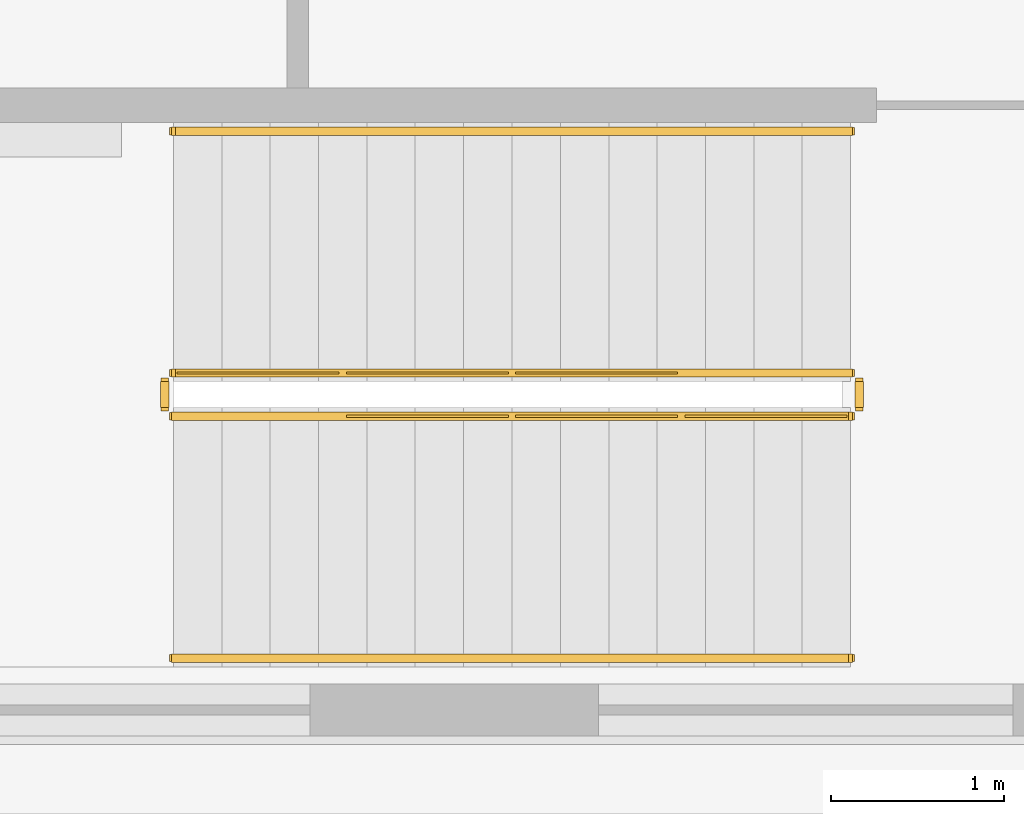
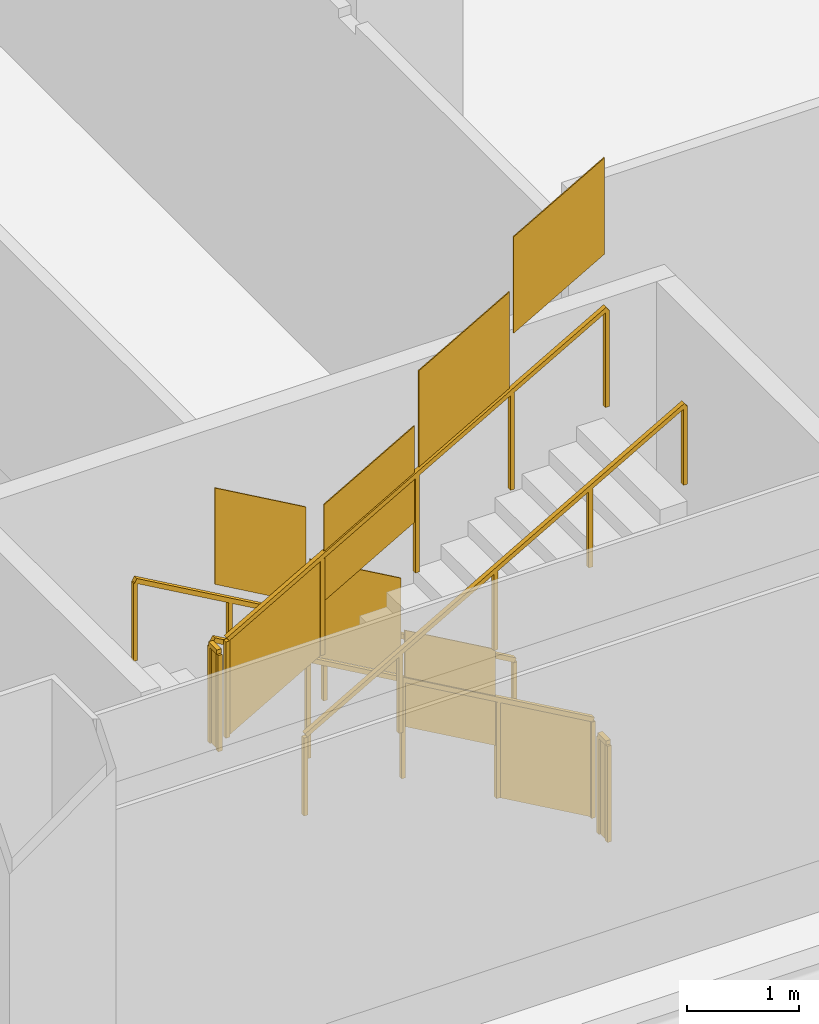
# One storey, part 21 of 26: 6 railings.
"""IFC4 building model written with IfcOpenShell, lengths in metres."""

import ifcopenshell
import ifcopenshell.guid

model = None  # the IFC model being written
_history = None  # IfcOwnerHistory: only IFC2X3 demands one
_inside = {}  # id of a spatial element -> (the spatial element, [elements in it])
_under = {}  # id of a project, library or spatial element -> (it, [spatial elements below it])
_declared = {}  # id of a project -> (the project, [libraries it declares])
_typed = {}  # id of a type object -> (the type object, [elements of that type])
_made_of = {}  # id of a material, layer set ... -> (it, [elements and type objects made of it])


def new_model(schema):
    """Start an empty IFC model of exactly this schema.

    Asked for "IFC4X3", IfcOpenShell would pick the latest addendum, in which some entities
    have other attributes; the version numbers below select the first issue.
    IFC2X3 requires an IfcOwnerHistory on every rooted entity: one is made here for all.
    """
    global model, _history
    if schema == "IFC4X3":
        model = ifcopenshell.file(schema_version=(4, 3, 0, 0))
    else:
        model = ifcopenshell.file(schema=schema)
    _inside.clear()
    _under.clear()
    _declared.clear()
    _typed.clear()
    _made_of.clear()
    _history = None
    if model.schema == "IFC2X3":
        org = make("IfcOrganization", Name="unknown")
        user = make(
            "IfcPersonAndOrganization",
            ThePerson=make("IfcPerson", FamilyName="unknown"),
            TheOrganization=org,
        )
        app = make(
            "IfcApplication",
            ApplicationDeveloper=org,
            Version="unknown",
            ApplicationFullName="unknown",
            ApplicationIdentifier="unknown",
        )
        _history = make(
            "IfcOwnerHistory",
            OwningUser=user,
            OwningApplication=app,
            ChangeAction="ADDED",
            CreationDate=0,
        )
    return model


def make(cls, **values):
    """One entity of the class cls with the attributes given. An attribute that is None is left unset."""
    return model.create_entity(
        cls, **{name: value for name, value in values.items() if value is not None}
    )


def rooted(cls, **values):
    """An entity with a GlobalId (a new one), such as an element, a storey or a relation."""
    return make(cls, GlobalId=ifcopenshell.guid.new(), OwnerHistory=_history, **values)


def si_unit(unit_type, name, prefix=None):
    """IfcSIUnit, for example si_unit("LENGTHUNIT", "METRE", prefix="MILLI")."""
    return make("IfcSIUnit", UnitType=unit_type, Prefix=prefix, Name=name)


def assignment(units):
    """IfcUnitAssignment: the units of a project."""
    return None if units is None else make("IfcUnitAssignment", Units=units)


def point(xyz):
    """IfcCartesianPoint."""
    return None if xyz is None else make("IfcCartesianPoint", Coordinates=xyz)


def direction(xyz):
    """IfcDirection."""
    return None if xyz is None else make("IfcDirection", DirectionRatios=xyz)


def frame(location, z_axis=None, x_axis=None):
    """IfcAxis2Placement3D, a coordinate frame: its origin and axes. An axis left out is left unset."""
    return make(
        "IfcAxis2Placement3D",
        Location=point(location),
        Axis=direction(z_axis),
        RefDirection=direction(x_axis),
    )


def frame_2d(location, x_axis=None):
    """IfcAxis2Placement2D, a coordinate frame in the plane: its origin and x axis."""
    return make(
        "IfcAxis2Placement2D", Location=point(location), RefDirection=direction(x_axis)
    )


def origin():
    """The frame at (0, 0, 0) with its axes left unset."""
    return frame((0.0, 0.0, 0.0))


def origin_2d():
    """The frame at (0, 0) in the plane with its x axis left unset."""
    return frame_2d((0.0, 0.0))


def place(relative_to, where):
    """IfcLocalPlacement: puts the frame where relative to a parent placement (None: the world)."""
    return make(
        "IfcLocalPlacement", PlacementRelTo=relative_to, RelativePlacement=where
    )


def context(
    kind, dimensions, precision=None, world=None, true_north=None, identifier=None
):
    """IfcGeometricRepresentationContext, for example the 3D "Model" context."""
    return make(
        "IfcGeometricRepresentationContext",
        ContextIdentifier=identifier,
        ContextType=kind,
        CoordinateSpaceDimension=dimensions,
        Precision=precision,
        WorldCoordinateSystem=world,
        TrueNorth=true_north,
    )


def subcontext(parent, identifier, kind, view, scale=None):
    """IfcGeometricRepresentationSubContext, for example "Body" below "Model"."""
    return make(
        "IfcGeometricRepresentationSubContext",
        ContextIdentifier=identifier,
        ContextType=kind,
        ParentContext=parent,
        TargetScale=scale,
        TargetView=view,
    )


def project(units=None, contexts=None):
    """IfcProject with its units and contexts."""
    return rooted(
        "IfcProject",
        Name="project",
        RepresentationContexts=contexts,
        UnitsInContext=assignment(units),
    )


def spatial(cls, under=None, at=None, **own):
    """A site, building, storey or space (cls), placed at a placement, below another one or the project."""
    s = rooted(cls, ObjectPlacement=at, **own)
    if under is not None:
        _under.setdefault(under.id(), (under, []))[1].append(s)
    return s


def polyline(points):
    """IfcPolyline through the points."""
    return make("IfcPolyline", Points=[point(p) for p in points])


def profile(cls, at=None, kind="AREA", **sizes):
    """A parametric profile (cls). Its sizes go by their IFC names, for example OverallWidth=200.0."""
    return make(cls, ProfileType=kind, Position=at, **sizes)


def rectangle(**sizes):
    """IfcRectangleProfileDef."""
    return profile("IfcRectangleProfileDef", **sizes)


def outline(outer, holes=None, kind="AREA"):
    """IfcArbitraryClosedProfileDef: a profile drawn as a closed curve; with holes, ...WithVoids."""
    if holes is None:
        return make("IfcArbitraryClosedProfileDef", ProfileType=kind, OuterCurve=outer)
    return make(
        "IfcArbitraryProfileDefWithVoids",
        ProfileType=kind,
        OuterCurve=outer,
        InnerCurves=holes,
    )


def extrude(swept, where, along, depth):
    """IfcExtrudedAreaSolid: the profile swept, set in the frame where, extruded along a direction by depth."""
    return make(
        "IfcExtrudedAreaSolid",
        SweptArea=swept,
        Position=where,
        ExtrudedDirection=direction(along),
        Depth=depth,
    )


def shape(context_of_items, identifier, shape_type, items):
    """IfcShapeRepresentation: the items that make up one representation, for example the "Body"."""
    return make(
        "IfcShapeRepresentation",
        ContextOfItems=context_of_items,
        RepresentationIdentifier=identifier,
        RepresentationType=shape_type,
        Items=items,
    )


def material(Name=None, Category=None):
    """IfcMaterial."""
    return make("IfcMaterial", Name=Name, Category=Category)


def made_of(thing, what):
    """Note that an element or type object is made of a material, layer set ...; save() writes the relation."""
    if what is not None:
        _made_of.setdefault(what.id(), (what, []))[1].append(thing)
    return thing


def type_object(cls, material=None, **own):
    """A type object (cls), such as IfcWallType, which elements share."""
    return made_of(rooted(cls, **own), material)


def element(
    cls,
    number,
    at=None,
    inside=None,
    cuts=None,
    type_object=None,
    material=None,
    context=None,
    identifier="Body",
    shape_type=None,
    held_by="IfcProductDefinitionShape",
    body=None,
    shapes=None,
    **own,
):
    """One element of the class cls, such as IfcWall. Its Tag is "e" and its number.

    at: its placement. inside: the storey or other place that contains it. cuts: it is an
    opening in that element (IfcRelVoidsElement). A single representation is given by context,
    identifier, shape_type and body (its items); several are given by shapes. held_by: the class
    of the entity that holds the representations. save() writes the other relations.
    """
    e = rooted(cls, Tag="e%d" % number, ObjectPlacement=at, **own)
    if body is not None:
        shapes = [shape(context, identifier, shape_type, body)]
    if shapes is not None:
        e.Representation = make(held_by, Representations=shapes)
    if inside is not None:
        _inside.setdefault(inside.id(), (inside, []))[1].append(e)
    if cuts is not None:
        rooted(
            "IfcRelVoidsElement", RelatingBuildingElement=cuts, RelatedOpeningElement=e
        )
    if type_object is not None:
        _typed.setdefault(type_object.id(), (type_object, []))[1].append(e)
    return made_of(e, material)


def aggregate(whole, parts):
    """IfcRelAggregates: a whole, such as a stair, and the parts it consists of."""
    return rooted("IfcRelAggregates", RelatingObject=whole, RelatedObjects=parts)


def save(model, path):
    """Write the relations noted so far, then the file.

    IfcRelAggregates (storeys below a building ...), IfcRelContainedInSpatialStructure (elements
    in a storey), IfcRelDefinesByType, IfcRelAssociatesMaterial and IfcRelDeclares: one each for
    every whole, place, type object, material and project.
    """
    for whole, parts in _under.values():
        aggregate(whole, parts)
    for where, things in _inside.values():
        rooted(
            "IfcRelContainedInSpatialStructure",
            RelatedElements=things,
            RelatingStructure=where,
        )
    for kind, things in _typed.values():
        rooted("IfcRelDefinesByType", RelatedObjects=things, RelatingType=kind)
    for what, things in _made_of.values():
        rooted("IfcRelAssociatesMaterial", RelatedObjects=things, RelatingMaterial=what)
    for by, libraries in _declared.values():
        rooted("IfcRelDeclares", RelatingContext=by, RelatedDefinitions=libraries)
    model.write(path)


model = new_model("IFC4")

# Units and contexts
model_context = context("Model", 3, precision=1e-05, world=origin(), true_north=direction((0.0, 1.0)))
body_context = subcontext(model_context, "Body", "Model", "MODEL_VIEW")
ifc_project = project(units=[si_unit("LENGTHUNIT", "METRE"), si_unit("AREAUNIT", "SQUARE_METRE"), si_unit("VOLUMEUNIT", "CUBIC_METRE"), si_unit("PLANEANGLEUNIT", "RADIAN"), si_unit("MASSUNIT", "GRAM", prefix="KILO")], contexts=[model_context])

# Site, building, storey
site_placement = place(None, origin())
site = spatial("IfcSite", under=ifc_project, at=site_placement, CompositionType="ELEMENT")
building_placement = place(site_placement, origin())
building = spatial("IfcBuilding", under=site, at=building_placement, Name="Cairn Pilgrim Tower", CompositionType="ELEMENT")
storey_placement = place(building_placement, frame((0.0, 0.0, 21.0)))
storey = spatial("IfcBuildingStorey", under=building, at=storey_placement, Name="L03", CompositionType="ELEMENT", Elevation=21.0)

# Railings
ifc_material = material(Name="Painted steel", Category="steel")
railing_type_1 = type_object("IfcRailingType", Name="PODIUM STAIR GUARD 1100", PredefinedType="GUARDRAIL", material=ifc_material)
railing_1_placement = place(storey_placement, frame((-25.60009765625, -26.25, 0.159912109375)))
element("IfcRailing", 1, at=railing_1_placement, inside=storey, type_object=railing_type_1, Name="L03 ST-HS stair guard 1", PredefinedType="GUARDRAIL", context=body_context, shape_type="SweptSolid", body=[
    extrude(rectangle(XDim=0.048095703125, YDim=0.048095703125, at=origin_2d()), frame((0.0, 0.0, 1.076171875), z_axis=(-0.868239814368, 0.0, 0.496144761885), x_axis=(0.0, -1.0, 0.0)), (0.0, 0.0, 1.0), 4.514892578125),
    extrude(rectangle(XDim=0.0419921875, YDim=0.0419921875, at=origin_2d()), origin(), (0.0, 0.0, 1.0), 1.052001953125),
    extrude(rectangle(XDim=0.0419921875, YDim=0.0419921875, at=origin_2d()), frame((-0.97998046875, 0.0, 0.56005859375)), (0.0, 0.0, 1.0), 1.052001953125),
    extrude(rectangle(XDim=0.0419921875, YDim=0.0419921875, at=origin_2d()), frame((-1.9599609375, 0.0, 1.1201171875)), (0.0, 0.0, 1.0), 1.052001953125),
    extrude(rectangle(XDim=0.0419921875, YDim=0.0419921875, at=origin_2d()), frame((-2.93994140625, 0.0, 1.679931640625)), (0.0, 0.0, 1.0), 1.052001953125),
    extrude(rectangle(XDim=0.0419921875, YDim=0.0419921875, at=origin_2d()), frame((-3.919921875, 0.0, 2.239990234375)), (0.0, 0.0, 1.0), 1.052001953125),
    extrude(outline(polyline([(0.02099609375, 0.011962890625), (0.958984375, 0.548095703125), (0.958984375, 1.60009765625), (0.02099609375, 1.06396484375), (0.02099609375, 0.011962890625)])), frame((0.0, -0.005859375, 0.0), z_axis=(0.0, 1.0, 0.0), x_axis=(-1.0, 0.0, 0.0)), (0.0, 0.0, 1.0), 0.011962890625),
    extrude(outline(polyline([(0.02099609375, 0.572021484375), (0.958984375, 1.10791015625), (0.958984375, 2.159912109375), (0.02099609375, 1.6240234375), (0.02099609375, 0.572021484375)])), frame((-0.97998046875, -0.005859375, 0.56005859375), z_axis=(0.0, 1.0, 0.0), x_axis=(-1.0, 0.0, 0.0)), (0.0, 0.0, 1.0), 0.011962890625),
    extrude(outline(polyline([(0.02099609375, 1.132080078125), (0.958984375, 1.66796875), (0.958984375, 2.719970703125), (0.02099609375, 2.18408203125), (0.02099609375, 1.132080078125)])), frame((-1.9599609375, -0.005859375, 1.1201171875), z_axis=(0.0, 1.0, 0.0), x_axis=(-1.0, 0.0, 0.0)), (0.0, 0.0, 1.0), 0.011962890625),
    extrude(outline(polyline([(0.02099609375, 1.69189453125), (0.958984375, 2.22802734375), (0.958984375, 3.280029296875), (0.02099609375, 2.743896484375), (0.02099609375, 1.69189453125)])), frame((-2.93994140625, -0.005859375, 1.679931640625), z_axis=(0.0, 1.0, 0.0), x_axis=(-1.0, 0.0, 0.0)), (0.0, 0.0, 1.0), 0.011962890625),
])
railing_2_placement = place(storey_placement, frame((-29.570068359375, -26.300048828125, 2.39990234375)))
element("IfcRailing", 2, at=railing_2_placement, inside=storey, type_object=railing_type_1, Name="L03 ST-HS stair guard 2", PredefinedType="GUARDRAIL", context=body_context, shape_type="SweptSolid", body=[
    extrude(rectangle(XDim=0.048095703125, YDim=0.048095703125, at=origin_2d()), frame((0.0, 0.0, 1.076171875), z_axis=(0.0, -1.0, 0.0), x_axis=(1.0, 0.0, 0.0)), (0.0, 0.0, 1.0), 0.14990234375),
    extrude(rectangle(XDim=0.0419921875, YDim=0.0419921875, at=origin_2d()), origin(), (0.0, 0.0, 1.0), 1.052001953125),
    extrude(rectangle(XDim=0.0419921875, YDim=0.0419921875, at=origin_2d()), frame((0.0, -0.14990234375, 0.0)), (0.0, 0.0, 1.0), 1.052001953125),
    extrude(outline(polyline([(0.02099609375, 0.0), (0.12890625, 0.0), (0.12890625, 1.052001953125), (0.02099609375, 1.052001953125), (0.02099609375, 0.0)])), frame((0.005859375, 0.0, 0.0), z_axis=(-1.0, 0.0, 0.0), x_axis=(0.0, -1.0, 0.0)), (0.0, 0.0, 1.0), 0.011962890625),
])
railing_3_placement = place(storey_placement, frame((-29.52001953125, -26.5, 2.56005859375)))
element("IfcRailing", 3, at=railing_3_placement, inside=storey, type_object=railing_type_1, Name="L03 ST-HS stair guard 3", PredefinedType="GUARDRAIL", context=body_context, shape_type="SweptSolid", body=[
    extrude(rectangle(XDim=0.048095703125, YDim=0.048095703125, at=origin_2d()), frame((0.0, 0.0, 1.076171875), z_axis=(0.868239814368, 0.0, 0.496144761885), x_axis=(0.0, 1.0, 0.0)), (0.0, 0.0, 1.0), 4.514892578125),
    extrude(rectangle(XDim=0.0419921875, YDim=0.0419921875, at=origin_2d()), origin(), (0.0, 0.0, 1.0), 1.052001953125),
    extrude(rectangle(XDim=0.0419921875, YDim=0.0419921875, at=origin_2d()), frame((0.97998046875, 0.0, 0.56005859375)), (0.0, 0.0, 1.0), 1.052001953125),
    extrude(rectangle(XDim=0.0419921875, YDim=0.0419921875, at=origin_2d()), frame((1.9599609375, 0.0, 1.1201171875)), (0.0, 0.0, 1.0), 1.052001953125),
    extrude(rectangle(XDim=0.0419921875, YDim=0.0419921875, at=origin_2d()), frame((2.93994140625, 0.0, 1.679931640625)), (0.0, 0.0, 1.0), 1.052001953125),
    extrude(rectangle(XDim=0.0419921875, YDim=0.0419921875, at=origin_2d()), frame((3.919921875, 0.0, 2.239990234375)), (0.0, 0.0, 1.0), 1.052001953125),
    extrude(outline(polyline([(0.02099609375, 0.011962890625), (0.958984375, 0.548095703125), (0.958984375, 1.60009765625), (0.02099609375, 1.06396484375), (0.02099609375, 0.011962890625)])), frame((0.0, 0.005859375, 0.0), z_axis=(0.0, -1.0, 0.0), x_axis=(1.0, 0.0, 0.0)), (0.0, 0.0, 1.0), 0.011962890625),
    extrude(outline(polyline([(0.02099609375, 0.572021484375), (0.958984375, 1.10791015625), (0.958984375, 2.159912109375), (0.02099609375, 1.6240234375), (0.02099609375, 0.572021484375)])), frame((0.97998046875, 0.005859375, 0.56005859375), z_axis=(0.0, -1.0, 0.0), x_axis=(1.0, 0.0, 0.0)), (0.0, 0.0, 1.0), 0.011962890625),
    extrude(outline(polyline([(0.02099609375, 1.132080078125), (0.958984375, 1.66796875), (0.958984375, 2.719970703125), (0.02099609375, 2.18408203125), (0.02099609375, 1.132080078125)])), frame((1.9599609375, 0.005859375, 1.1201171875), z_axis=(0.0, -1.0, 0.0), x_axis=(1.0, 0.0, 0.0)), (0.0, 0.0, 1.0), 0.011962890625),
    extrude(outline(polyline([(0.02099609375, 1.69189453125), (0.958984375, 2.22802734375), (0.958984375, 3.280029296875), (0.02099609375, 2.743896484375), (0.02099609375, 1.69189453125)])), frame((2.93994140625, 0.005859375, 1.679931640625), z_axis=(0.0, -1.0, 0.0), x_axis=(1.0, 0.0, 0.0)), (0.0, 0.0, 1.0), 0.011962890625),
])
railing_4_placement = place(storey_placement, frame((-25.550048828125, -26.300048828125, 0.0)))
element("IfcRailing", 4, at=railing_4_placement, inside=storey, type_object=railing_type_1, Name="L03 ST-HS stair guard 4", PredefinedType="GUARDRAIL", context=body_context, shape_type="SweptSolid", body=[
    extrude(rectangle(XDim=0.048095703125, YDim=0.048095703125, at=origin_2d()), frame((0.0, 0.0, 1.076171875), z_axis=(0.0, -1.0, 0.0), x_axis=(1.0, 0.0, 0.0)), (0.0, 0.0, 1.0), 0.14990234375),
    extrude(rectangle(XDim=0.0419921875, YDim=0.0419921875, at=origin_2d()), origin(), (0.0, 0.0, 1.0), 1.052001953125),
    extrude(rectangle(XDim=0.0419921875, YDim=0.0419921875, at=origin_2d()), frame((0.0, -0.14990234375, 0.0)), (0.0, 0.0, 1.0), 1.052001953125),
    extrude(outline(polyline([(0.02099609375, 0.0), (0.12890625, 0.0), (0.12890625, 1.052001953125), (0.02099609375, 1.052001953125), (0.02099609375, 0.0)])), frame((0.005859375, 0.0, 0.0), z_axis=(-1.0, 0.0, 0.0), x_axis=(0.0, -1.0, 0.0)), (0.0, 0.0, 1.0), 0.011962890625),
])
railing_type_2 = type_object("IfcRailingType", Name="PODIUM STAIR HANDRAIL 900", PredefinedType="HANDRAIL", material=ifc_material)
railing_5_placement = place(storey_placement, frame((-25.60009765625, -24.85009765625, 0.159912109375)))
element("IfcRailing", 5, at=railing_5_placement, inside=storey, type_object=railing_type_2, Name="L03 ST-HS stair handrail 1", PredefinedType="HANDRAIL", context=body_context, shape_type="SweptSolid", body=[
    extrude(rectangle(XDim=0.048095703125, YDim=0.048095703125, at=origin_2d()), frame((0.0, 0.0, 0.8759765625), z_axis=(-0.868239814368, 0.0, 0.496144761885), x_axis=(0.0, -1.0, 0.0)), (0.0, 0.0, 1.0), 4.514892578125),
    extrude(rectangle(XDim=0.0419921875, YDim=0.0419921875, at=origin_2d()), origin(), (0.0, 0.0, 1.0), 0.851806640625),
    extrude(rectangle(XDim=0.0419921875, YDim=0.0419921875, at=origin_2d()), frame((-0.97998046875, 0.0, 0.56005859375)), (0.0, 0.0, 1.0), 0.851806640625),
    extrude(rectangle(XDim=0.0419921875, YDim=0.0419921875, at=origin_2d()), frame((-1.9599609375, 0.0, 1.1201171875)), (0.0, 0.0, 1.0), 0.851806640625),
    extrude(rectangle(XDim=0.0419921875, YDim=0.0419921875, at=origin_2d()), frame((-2.93994140625, 0.0, 1.679931640625)), (0.0, 0.0, 1.0), 0.851806640625),
    extrude(rectangle(XDim=0.0419921875, YDim=0.0419921875, at=origin_2d()), frame((-3.919921875, 0.0, 2.239990234375)), (0.0, 0.0, 1.0), 0.851806640625),
])
railing_6_placement = place(storey_placement, frame((-29.52001953125, -27.89990234375, 2.56005859375)))
element("IfcRailing", 6, at=railing_6_placement, inside=storey, type_object=railing_type_2, Name="L03 ST-HS stair handrail 2", PredefinedType="HANDRAIL", context=body_context, shape_type="SweptSolid", body=[
    extrude(rectangle(XDim=0.048095703125, YDim=0.048095703125, at=origin_2d()), frame((0.0, 0.0, 0.8759765625), z_axis=(0.868239814368, 0.0, 0.496144761885), x_axis=(0.0, 1.0, 0.0)), (0.0, 0.0, 1.0), 4.514892578125),
    extrude(rectangle(XDim=0.0419921875, YDim=0.0419921875, at=origin_2d()), origin(), (0.0, 0.0, 1.0), 0.851806640625),
    extrude(rectangle(XDim=0.0419921875, YDim=0.0419921875, at=origin_2d()), frame((0.97998046875, 0.0, 0.56005859375)), (0.0, 0.0, 1.0), 0.851806640625),
    extrude(rectangle(XDim=0.0419921875, YDim=0.0419921875, at=origin_2d()), frame((1.9599609375, 0.0, 1.1201171875)), (0.0, 0.0, 1.0), 0.851806640625),
    extrude(rectangle(XDim=0.0419921875, YDim=0.0419921875, at=origin_2d()), frame((2.93994140625, 0.0, 1.679931640625)), (0.0, 0.0, 1.0), 0.851806640625),
    extrude(rectangle(XDim=0.0419921875, YDim=0.0419921875, at=origin_2d()), frame((3.919921875, 0.0, 2.239990234375)), (0.0, 0.0, 1.0), 0.851806640625),
])

save(model, "model.ifc")
